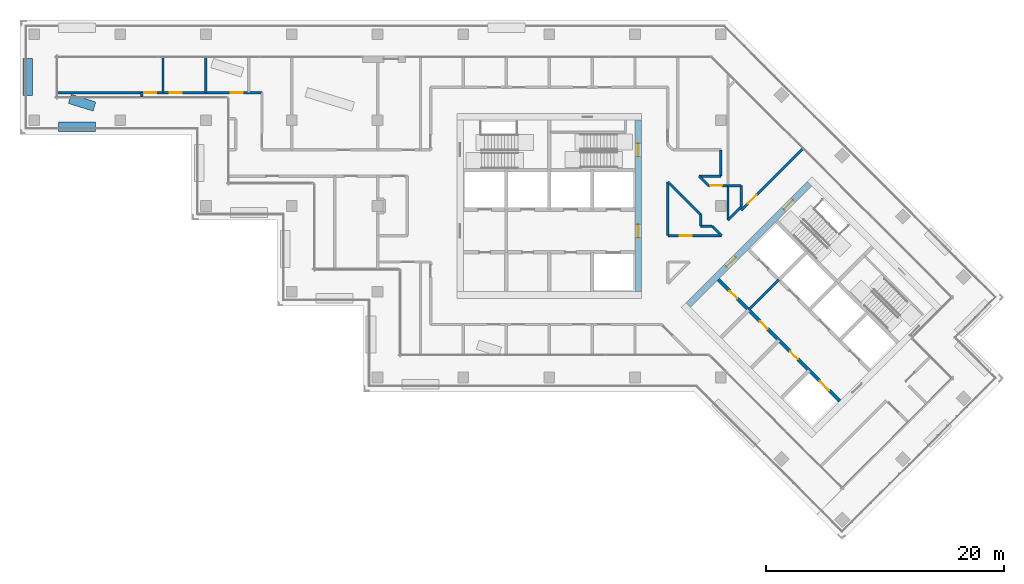
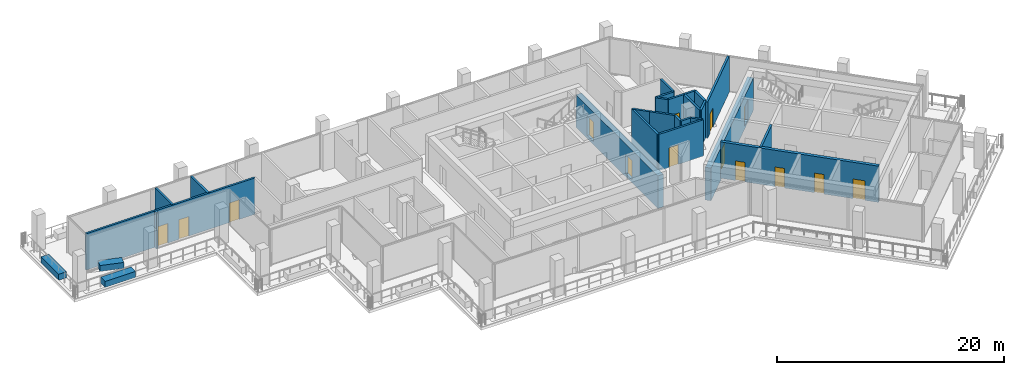
# One storey, part 10 of 19: 28 walls, 14 doors, 14 openings.
"""IFC4 building model written with IfcOpenShell, lengths in metres."""

from ifc_helpers import new_model, si_unit, direction, frame, frame_2d, origin, place, context, subcontext, project, spatial, rectangle, extrude, material, layer, layer_set, type_object, element, fill, save


model = new_model("IFC4")

# Units and contexts
model_context = context("Model", 3, precision=1e-05, world=origin(), true_north=direction((0.0, 1.0)))
body_context = subcontext(model_context, "Body", "Model", "MODEL_VIEW")
ifc_project = project(units=[si_unit("LENGTHUNIT", "METRE"), si_unit("AREAUNIT", "SQUARE_METRE"), si_unit("VOLUMEUNIT", "CUBIC_METRE"), si_unit("PLANEANGLEUNIT", "RADIAN"), si_unit("MASSUNIT", "GRAM", prefix="KILO")], contexts=[model_context])

# Site, building, storey
site_placement = place(None, origin())
site = spatial("IfcSite", under=ifc_project, at=site_placement, CompositionType="ELEMENT")
building_placement = place(site_placement, origin())
building = spatial("IfcBuilding", under=site, at=building_placement, Name="Windrow Commons", CompositionType="ELEMENT")
storey_placement = place(building_placement, frame((0.0, 0.0, 185.4)))
storey = spatial("IfcBuildingStorey", under=building, at=storey_placement, Name="L50", CompositionType="ELEMENT", Elevation=185.4)

# Wall
ifc_material_1 = material(Name="Blockwork partition", Category="masonry")
ifc_layer_1 = layer(ifc_material_1, 0.2)
ifc_layer_set_1 = layer_set([ifc_layer_1], Name="Fire lobby partition 200")
wall_type_1 = type_object("IfcWallType", Name="Fire lobby partition 200", PredefinedType="PARTITIONING", material=ifc_layer_set_1)
wall_1_placement = place(storey_placement, frame((81.5335, 48.8776, 0.0), z_axis=(0.0, 0.0, 1.0), x_axis=(0.707092892, 0.7071206701, 0.0)))
element("IfcWall", 1, at=wall_1_placement, inside=storey, type_object=wall_type_1, Name="W-core-lobby-B-L50", PredefinedType="PARTITIONING", context=body_context, shape_type="SweptSolid", body=[
    extrude(rectangle(XDim=3.6, YDim=0.2, at=frame_2d((1.8, 0.0))), origin(), (0.0, 0.0, 1.0), 3.9),
])

# Wall, openings, doors
ifc_material_2 = material(Name="Blockwork partition", Category="masonry")
ifc_layer_2 = layer(ifc_material_2, 0.2)
ifc_layer_set_2 = layer_set([ifc_layer_2], Name="IW-CORRIDOR-200")
wall_type_2 = type_object("IfcWallType", Name="IW-CORRIDOR-200", PredefinedType="PARTITIONING", material=ifc_layer_set_2)
wall_2_placement = place(storey_placement, frame((30.6, 67.1, 0.0), z_axis=(0.0, 0.0, 1.0), x_axis=(1.0, 0.0, 0.0)))
wall_2 = element("IfcWall", 2, at=wall_2_placement, inside=storey, type_object=wall_type_2, Name="W-L50-W004", PredefinedType="PARTITIONING", context=body_context, shape_type="SweptSolid", body=[
    extrude(rectangle(XDim=10.1, YDim=0.2, at=frame_2d((5.05, 0.0))), origin(), (0.0, 0.0, 1.0), 3.9),
])
opening_1_placement = place(wall_2_placement, frame((0.24, 0.0, 0.0)))
opening_1 = element("IfcOpeningElement", 3, at=opening_1_placement, cuts=wall_2, Name="Opening D310F", PredefinedType="OPENING", context=body_context, shape_type="SweptSolid", body=[
    extrude(rectangle(XDim=1.0, YDim=2.1, at=frame_2d((0.5, 1.05))), frame((0.0, 0.11, 0.0), z_axis=(0.0, -1.0, 0.0), x_axis=(1.0, 0.0, 0.0)), (0.0, 0.0, 1.0), 0.22),
])
opening_2_placement = place(wall_2_placement, frame((2.3675, 0.0, 0.0)))
opening_2 = element("IfcOpeningElement", 4, at=opening_2_placement, cuts=wall_2, Name="Opening D310F", PredefinedType="OPENING", context=body_context, shape_type="SweptSolid", body=[
    extrude(rectangle(XDim=1.0, YDim=2.1, at=frame_2d((0.5, 1.05))), frame((0.0, 0.11, 0.0), z_axis=(0.0, -1.0, 0.0), x_axis=(1.0, 0.0, 0.0)), (0.0, 0.0, 1.0), 0.22),
])
opening_3_placement = place(wall_2_placement, frame((7.4925, 0.0, 0.0)))
opening_3 = element("IfcOpeningElement", 5, at=opening_3_placement, cuts=wall_2, Name="Opening D310F", PredefinedType="OPENING", context=body_context, shape_type="SweptSolid", body=[
    extrude(rectangle(XDim=1.0, YDim=2.1, at=frame_2d((0.5, 1.05))), frame((0.0, 0.11, 0.0), z_axis=(0.0, -1.0, 0.0), x_axis=(1.0, 0.0, 0.0)), (0.0, 0.0, 1.0), 0.22),
])
ifc_material_3 = material(Name="Timber door leaf", Category="wood")
door_type_1 = type_object("IfcDoorType", Name="DT-AMENITY-1000", OperationType="SINGLE_SWING_LEFT", PredefinedType="DOOR", material=ifc_material_3)
door_1_placement = place(opening_1_placement, origin())
door_1 = element("IfcDoor", 6, at=door_1_placement, inside=storey, type_object=door_type_1, Name="D-L50-D011", OperationType="SINGLE_SWING_LEFT", OverallHeight=2.1, OverallWidth=1.0, PredefinedType="DOOR", context=body_context, shape_type="SweptSolid", body=[
    extrude(rectangle(XDim=1.0, YDim=2.1, at=frame_2d((0.5, 1.05))), frame((0.0, 0.025, 0.0), z_axis=(0.0, -1.0, 0.0), x_axis=(1.0, 0.0, 0.0)), (0.0, 0.0, 1.0), 0.05),
])
fill(opening_1, door_1)
door_2_placement = place(opening_2_placement, origin())
door_2 = element("IfcDoor", 7, at=door_2_placement, inside=storey, type_object=door_type_1, Name="D-L50-D012", OperationType="SINGLE_SWING_LEFT", OverallHeight=2.1, OverallWidth=1.0, PredefinedType="DOOR", context=body_context, shape_type="SweptSolid", body=[
    extrude(rectangle(XDim=1.0, YDim=2.1, at=frame_2d((0.5, 1.05))), frame((0.0, 0.025, 0.0), z_axis=(0.0, -1.0, 0.0), x_axis=(1.0, 0.0, 0.0)), (0.0, 0.0, 1.0), 0.05),
])
fill(opening_2, door_2)
door_3_placement = place(opening_3_placement, origin())
door_3 = element("IfcDoor", 8, at=door_3_placement, inside=storey, type_object=door_type_1, Name="D-L50-D013", OperationType="SINGLE_SWING_RIGHT", OverallHeight=2.1, OverallWidth=1.0, PredefinedType="DOOR", context=body_context, shape_type="SweptSolid", body=[
    extrude(rectangle(XDim=1.0, YDim=2.1, at=frame_2d((0.5, 1.05))), frame((0.0, 0.025, 0.0), z_axis=(0.0, -1.0, 0.0), x_axis=(1.0, 0.0, 0.0)), (0.0, 0.0, 1.0), 0.05),
])
fill(opening_3, door_3)

# Wall, opening, door
wall_3_placement = place(storey_placement, frame((80.9018, 57.2262, 0.0), z_axis=(0.0, 0.0, 1.0), x_axis=(0.7069700233, 0.7072435126, 0.0)))
wall_3 = element("IfcWall", 9, at=wall_3_placement, inside=storey, type_object=wall_type_2, Name="W-L50-W011", PredefinedType="PARTITIONING", context=body_context, shape_type="SweptSolid", body=[
    extrude(rectangle(XDim=7.3129, YDim=0.2, at=frame_2d((3.6564, 0.0))), origin(), (0.0, 0.0, 1.0), 3.9),
])
opening_4_placement = place(wall_3_placement, frame((0.8047, 0.0, 0.0)))
opening_4 = element("IfcOpeningElement", 10, at=opening_4_placement, cuts=wall_3, Name="Opening D310F", PredefinedType="OPENING", context=body_context, shape_type="SweptSolid", body=[
    extrude(rectangle(XDim=1.0, YDim=2.1, at=frame_2d((0.5, 1.05))), frame((0.0, 0.11, 0.0), z_axis=(0.0, -1.0, 0.0), x_axis=(1.0, 0.0, 0.0)), (0.0, 0.0, 1.0), 0.22),
])
door_4_placement = place(opening_4_placement, origin())
door_4 = element("IfcDoor", 11, at=door_4_placement, inside=storey, type_object=door_type_1, Name="D-L50-D024", OperationType="SINGLE_SWING_RIGHT", OverallHeight=2.1, OverallWidth=1.0, PredefinedType="DOOR", context=body_context, shape_type="SweptSolid", body=[
    extrude(rectangle(XDim=1.0, YDim=2.1, at=frame_2d((0.5, 1.05))), frame((0.0, 0.025, 0.0), z_axis=(0.0, -1.0, 0.0), x_axis=(1.0, 0.0, 0.0)), (0.0, 0.0, 1.0), 0.05),
])
fill(opening_4, door_4)

wall_4_placement = place(storey_placement, frame((74.752, 55.1, 0.0), z_axis=(0.0, 0.0, 1.0), x_axis=(1.0, 0.0, 0.0)))
wall_4 = element("IfcWall", 12, at=wall_4_placement, inside=storey, type_object=wall_type_2, Name="W-L50-W020", PredefinedType="PARTITIONING", context=body_context, shape_type="SweptSolid", body=[
    extrude(rectangle(XDim=4.516, YDim=0.2, at=frame_2d((2.258, 0.0))), origin(), (0.0, 0.0, 1.0), 3.9),
])
opening_5_placement = place(wall_4_placement, frame((1.0162, 0.0, 0.0)))
opening_5 = element("IfcOpeningElement", 13, at=opening_5_placement, cuts=wall_4, Name="Opening D310F", PredefinedType="OPENING", context=body_context, shape_type="SweptSolid", body=[
    extrude(rectangle(XDim=1.0, YDim=2.1, at=frame_2d((0.5, 1.05))), frame((0.0, 0.11, 0.0), z_axis=(0.0, -1.0, 0.0), x_axis=(1.0, 0.0, 0.0)), (0.0, 0.0, 1.0), 0.22),
])
door_5_placement = place(opening_5_placement, origin())
door_5 = element("IfcDoor", 14, at=door_5_placement, inside=storey, type_object=door_type_1, Name="D-L50-D010", OperationType="SINGLE_SWING_LEFT", OverallHeight=2.1, OverallWidth=1.0, PredefinedType="DOOR", context=body_context, shape_type="SweptSolid", body=[
    extrude(rectangle(XDim=1.0, YDim=2.1, at=frame_2d((0.5, 1.05))), frame((0.0, 0.025, 0.0), z_axis=(0.0, -1.0, 0.0), x_axis=(1.0, 0.0, 0.0)), (0.0, 0.0, 1.0), 0.05),
])
fill(opening_5, door_5)

# Walls
wall_5_placement = place(storey_placement, frame((74.75, 55.102, 0.0), z_axis=(0.0, 0.0, 1.0), x_axis=(0.0, 1.0, 0.0)))
element("IfcWall", 15, at=wall_5_placement, inside=storey, type_object=wall_type_2, Name="W-L50-W021", PredefinedType="PARTITIONING", context=body_context, shape_type="SweptSolid", body=[
    extrude(rectangle(XDim=4.516, YDim=0.2, at=frame_2d((2.258, 0.0))), origin(), (0.0, 0.0, 1.0), 3.9),
])
wall_6_placement = place(storey_placement, frame((79.8, 56.41, 0.0), z_axis=(0.0, 0.0, 1.0), x_axis=(0.0, 1.0, 0.0)))
element("IfcWall", 16, at=wall_6_placement, inside=storey, type_object=wall_type_2, Name="W-L50-W029", PredefinedType="PARTITIONING", context=body_context, shape_type="SweptSolid", body=[
    extrude(rectangle(XDim=2.89, YDim=0.2, at=frame_2d((1.445, 0.0))), origin(), (0.0, 0.0, 1.0), 3.9),
])
wall_7_placement = place(storey_placement, frame((75.8786, 58.4966, 0.0), z_axis=(0.0, 0.0, 1.0), x_axis=(0.7075423257, -0.7066709682, 0.0)))
element("IfcWall", 17, at=wall_7_placement, inside=storey, type_object=wall_type_2, Name="W-L50-W044", PredefinedType="PARTITIONING", context=body_context, shape_type="SweptSolid", body=[
    extrude(rectangle(XDim=2.2953, YDim=0.2, at=frame_2d((1.1477, 0.0))), origin(), (0.0, 0.0, 1.0), 3.9),
])
wall_8_placement = place(storey_placement, frame((79.2, 60.102, 0.0), z_axis=(0.0, 0.0, 1.0), x_axis=(0.0, 1.0, 0.0)))
element("IfcWall", 18, at=wall_8_placement, inside=storey, type_object=wall_type_2, Name="W-L50-W046", PredefinedType="PARTITIONING", context=body_context, shape_type="SweptSolid", body=[
    extrude(rectangle(XDim=2.198, YDim=0.2, at=frame_2d((1.099, 0.0))), origin(), (0.0, 0.0, 1.0), 3.9),
])
wall_9_placement = place(storey_placement, frame((77.384, 60.1, 0.0), z_axis=(0.0, 0.0, 1.0), x_axis=(1.0, 0.0, 0.0)))
element("IfcWall", 19, at=wall_9_placement, inside=storey, type_object=wall_type_2, Name="W-L50-W053", PredefinedType="PARTITIONING", context=body_context, shape_type="SweptSolid", body=[
    extrude(rectangle(XDim=1.814, YDim=0.2, at=frame_2d((0.907, 0.0))), origin(), (0.0, 0.0, 1.0), 3.9),
])

# Wall, opening, door
wall_10_placement = place(storey_placement, frame((78.182, 59.3, 0.0), z_axis=(0.0, 0.0, 1.0), x_axis=(1.0, 0.0, 0.0)))
wall_10 = element("IfcWall", 20, at=wall_10_placement, inside=storey, type_object=wall_type_2, Name="W-L50-W056", PredefinedType="PARTITIONING", context=body_context, shape_type="SweptSolid", body=[
    extrude(rectangle(XDim=1.618, YDim=0.2, at=frame_2d((0.809, 0.0))), origin(), (0.0, 0.0, 1.0), 3.9),
])
opening_6_placement = place(wall_10_placement, frame((0.1203, 0.0, 0.0)))
opening_6 = element("IfcOpeningElement", 21, at=opening_6_placement, cuts=wall_10, Name="Opening D310F", PredefinedType="OPENING", context=body_context, shape_type="SweptSolid", body=[
    extrude(rectangle(XDim=1.0, YDim=2.1, at=frame_2d((0.5, 1.05))), frame((0.0, 0.11, 0.0), z_axis=(0.0, -1.0, 0.0), x_axis=(1.0, 0.0, 0.0)), (0.0, 0.0, 1.0), 0.22),
])
door_6_placement = place(opening_6_placement, origin())
door_6 = element("IfcDoor", 22, at=door_6_placement, inside=storey, type_object=door_type_1, Name="D-L50-D023", OperationType="SINGLE_SWING_LEFT", OverallHeight=2.1, OverallWidth=1.0, PredefinedType="DOOR", context=body_context, shape_type="SweptSolid", body=[
    extrude(rectangle(XDim=1.0, YDim=2.1, at=frame_2d((0.5, 1.05))), frame((0.0, 0.025, 0.0), z_axis=(0.0, -1.0, 0.0), x_axis=(1.0, 0.0, 0.0)), (0.0, 0.0, 1.0), 0.05),
])
fill(opening_6, door_6)

# Walls
wall_11_placement = place(storey_placement, frame((74.7486, 59.6166, 0.0), z_axis=(0.0, 0.0, 1.0), x_axis=(0.7064779627, -0.7077350409, 0.0)))
element("IfcWall", 23, at=wall_11_placement, inside=storey, type_object=wall_type_2, Name="W-L50-W057", PredefinedType="PARTITIONING", context=body_context, shape_type="SweptSolid", body=[
    extrude(rectangle(XDim=1.591, YDim=0.2, at=frame_2d((0.7955, 0.0))), origin(), (0.0, 0.0, 1.0), 3.9),
])
wall_12_placement = place(storey_placement, frame((79.8022, 56.4078, 0.0), z_axis=(0.0, 0.0, 1.0), x_axis=(0.7064630795, 0.7077498975, 0.0)))
element("IfcWall", 24, at=wall_12_placement, inside=storey, type_object=wall_type_2, Name="W-L50-W058", PredefinedType="PARTITIONING", context=body_context, shape_type="SweptSolid", body=[
    extrude(rectangle(XDim=1.5542, YDim=0.2, at=frame_2d((0.7771, 0.0))), origin(), (0.0, 0.0, 1.0), 3.9),
])
for number, where, z_axis, x_axis, name in (
    (25, (77.3809, 60.0949, 0.0), (0.0, 0.0, 1.0), (0.7071067812, -0.7071067812, 0.0), "W-L50-W059"),
    (26, (78.4753, 55.9033, 0.0), (0.0, 0.0, 1.0), (0.7071067812, -0.7071067812, 0.0), "W-L50-W060"),
):
    element("IfcWall", number, at=place(storey_placement, frame(where, z_axis=z_axis, x_axis=x_axis)), inside=storey, type_object=wall_type_2, Name=name, PredefinedType="PARTITIONING", context=body_context, shape_type="SweptSolid", body=[
        extrude(rectangle(XDim=1.1285, YDim=0.2, at=frame_2d((0.5643, 0.0))), origin(), (0.0, 0.0, 1.0), 3.9),
    ])
wall_13_placement = place(storey_placement, frame((77.5, 55.9, 0.0), z_axis=(0.0, 0.0, 1.0), x_axis=(0.0, 1.0, 0.0)))
element("IfcWall", 27, at=wall_13_placement, inside=storey, type_object=wall_type_2, Name="W-L50-W063", PredefinedType="PARTITIONING", context=body_context, shape_type="SweptSolid", body=[
    extrude(rectangle(XDim=0.97, YDim=0.2, at=frame_2d((0.485, 0.0))), origin(), (0.0, 0.0, 1.0), 3.9),
])
wall_14_placement = place(storey_placement, frame((77.502, 55.9, 0.0), z_axis=(0.0, 0.0, 1.0), x_axis=(1.0, 0.0, 0.0)))
element("IfcWall", 28, at=wall_14_placement, inside=storey, type_object=wall_type_2, Name="W-L50-W064", PredefinedType="PARTITIONING", context=body_context, shape_type="SweptSolid", body=[
    extrude(rectangle(XDim=0.968, YDim=0.2, at=frame_2d((0.484, 0.0))), origin(), (0.0, 0.0, 1.0), 3.9),
])
wall_15_placement = place(storey_placement, frame((30.6, 66.73, 0.0), z_axis=(0.0, 0.0, 1.0), x_axis=(0.0, 1.0, 0.0)))
element("IfcWall", 29, at=wall_15_placement, inside=storey, type_object=wall_type_2, Name="W-L50-W073", PredefinedType="PARTITIONING", context=body_context, shape_type="SweptSolid", body=[
    extrude(rectangle(XDim=0.37, YDim=0.2, at=frame_2d((0.185, 0.0))), origin(), (0.0, 0.0, 1.0), 3.9),
])
ifc_material_4 = material(Name="Blockwork partition", Category="masonry")
ifc_layer_3 = layer(ifc_material_4, 0.2)
ifc_layer_set_3 = layer_set([ifc_layer_3], Name="IW-PARTY-200")
wall_type_3 = type_object("IfcWallType", Name="IW-PARTY-200", PredefinedType="PARTITIONING", material=ifc_layer_set_3)
wall_16_placement = place(storey_placement, frame((23.53, 67.1, 0.0), z_axis=(0.0, 0.0, 1.0), x_axis=(1.0, 0.0, 0.0)))
element("IfcWall", 30, at=wall_16_placement, inside=storey, type_object=wall_type_3, Name="W-L50-W012", PredefinedType="PARTITIONING", context=body_context, shape_type="SweptSolid", body=[
    extrude(rectangle(XDim=7.07, YDim=0.2, at=frame_2d((3.535, 0.0))), origin(), (0.0, 0.0, 1.0), 3.9),
])
for number, where, z_axis, x_axis, name in (
    (31, (32.4, 67.1, 0.0), (0.0, 0.0, 1.0), (0.0, 1.0, 0.0), "W-L50-W025"),
    (32, (36.0, 67.1, 0.0), (0.0, 0.0, 1.0), (0.0, 1.0, 0.0), "W-L50-W026"),
):
    element("IfcWall", number, at=place(storey_placement, frame(where, z_axis=z_axis, x_axis=x_axis)), inside=storey, type_object=wall_type_3, Name=name, PredefinedType="PARTITIONING", context=body_context, shape_type="SweptSolid", body=[
        extrude(rectangle(XDim=2.97, YDim=0.2, at=frame_2d((1.485, 0.0))), origin(), (0.0, 0.0, 1.0), 3.9),
    ])
wall_17_placement = place(storey_placement, frame((80.9, 57.508, 0.0), z_axis=(0.0, 0.0, 1.0), x_axis=(0.0, 1.0, 0.0)))
element("IfcWall", 33, at=wall_17_placement, inside=storey, type_object=wall_type_3, Name="W-L50-W054", PredefinedType="PARTITIONING", context=body_context, shape_type="SweptSolid", body=[
    extrude(rectangle(XDim=1.79, YDim=0.2, at=frame_2d((0.895, 0.0))), origin(), (0.0, 0.0, 1.0), 3.9),
])
wall_18_placement = place(storey_placement, frame((79.8, 59.3, 0.0), z_axis=(0.0, 0.0, 1.0), x_axis=(1.0, 0.0, 0.0)))
element("IfcWall", 34, at=wall_18_placement, inside=storey, type_object=wall_type_3, Name="W-L50-W062", PredefinedType="PARTITIONING", context=body_context, shape_type="SweptSolid", body=[
    extrude(rectangle(XDim=1.098, YDim=0.2, at=frame_2d((0.549, 0.0))), origin(), (0.0, 0.0, 1.0), 3.9),
])
ifc_material_5 = material(Name="Concrete C30/37 planter wall", Category="concrete")
ifc_layer_4 = layer(ifc_material_5, 0.8)
ifc_layer_set_4 = layer_set([ifc_layer_4], Name="Planter 800x600")
wall_type_4 = type_object("IfcWallType", Name="Planter 800x600", PredefinedType="SOLIDWALL", material=ifc_layer_set_4)
for number, where, z_axis, x_axis, name in (
    (35, (21.05, 69.95, 0.0), (0.0, 0.0, 1.0), (0.0, -1.0, 0.0), "PLANTER TR-L50-1.7"),
    (36, (23.65, 64.25, 0.0), (0.0, 0.0, 1.0), (1.0, 0.0, 0.0), "PLANTER TR-L50-1.8"),
):
    element("IfcWall", number, at=place(storey_placement, frame(where, z_axis=z_axis, x_axis=x_axis)), inside=storey, type_object=wall_type_4, Name=name, PredefinedType="SOLIDWALL", context=body_context, shape_type="SweptSolid", body=[
        extrude(rectangle(XDim=3.1, YDim=0.8, at=frame_2d((1.55, 0.0))), origin(), (0.0, 0.0, 1.0), 0.65),
    ])
wall_19_placement = place(storey_placement, frame((26.6439, 65.9416, 0.0), z_axis=(0.0, 0.0, 1.0), x_axis=(-0.9553618, 0.295438371, 0.0)))
element("IfcWall", 37, at=wall_19_placement, inside=storey, type_object=wall_type_4, Name="PLANTER TR-L50-1 bed 11", PredefinedType="SOLIDWALL", context=body_context, shape_type="SweptSolid", body=[
    extrude(rectangle(XDim=2.1609, YDim=0.8, at=frame_2d((1.0804, 0.0))), origin(), (0.0, 0.0, 1.0), 0.65),
])

# Wall, openings, doors
ifc_material_6 = material(Name="Concrete C50/60", Category="concrete")
ifc_layer_5 = layer(ifc_material_6, 0.55)
ifc_layer_set_5 = layer_set([ifc_layer_5], Name="RC CORE WALL 550 C50/60")
wall_type_5 = type_object("IfcWallType", Name="RC CORE WALL 550 C50/60", PredefinedType="SHEAR", material=ifc_layer_set_5)
wall_20_placement = place(storey_placement, frame((72.275, 50.4, -0.3), z_axis=(0.0, 0.0, 1.0), x_axis=(0.0, 1.0, 0.0)))
wall_20 = element("IfcWall", 38, at=wall_20_placement, inside=storey, type_object=wall_type_5, Name="Core A wall outer-E", PredefinedType="SHEAR", context=body_context, shape_type="SweptSolid", body=[
    extrude(rectangle(XDim=14.4, YDim=0.55, at=frame_2d((7.2, 0.0))), origin(), (0.0, 0.0, 1.0), 3.5),
])
opening_7_placement = place(wall_20_placement, frame((4.55, 0.0, 0.3)))
opening_7 = element("IfcOpeningElement", 39, at=opening_7_placement, cuts=wall_20, Name="Opening D6", PredefinedType="OPENING", context=body_context, shape_type="SweptSolid", body=[
    extrude(rectangle(XDim=1.1, YDim=2.1, at=frame_2d((0.55, 1.05))), frame((0.0, 0.285, 0.0), z_axis=(0.0, -1.0, 0.0), x_axis=(1.0, 0.0, 0.0)), (0.0, 0.0, 1.0), 0.57),
])
opening_8_placement = place(wall_20_placement, frame((11.35, 0.0, 0.3)))
opening_8 = element("IfcOpeningElement", 40, at=opening_8_placement, cuts=wall_20, Name="Opening D7", PredefinedType="OPENING", context=body_context, shape_type="SweptSolid", body=[
    extrude(rectangle(XDim=1.1, YDim=2.1, at=frame_2d((0.55, 1.05))), frame((0.0, 0.285, 0.0), z_axis=(0.0, -1.0, 0.0), x_axis=(1.0, 0.0, 0.0)), (0.0, 0.0, 1.0), 0.57),
])
ifc_material_7 = material(Name="Steel fire door leaf", Category="steel")
door_type_2 = type_object("IfcDoorType", Name="Core lobby door 1100", OperationType="SINGLE_SWING_LEFT", PredefinedType="DOOR", material=ifc_material_7)
door_7_placement = place(opening_7_placement, origin())
door_7 = element("IfcDoor", 41, at=door_7_placement, inside=storey, type_object=door_type_2, Name="Lift lobby door", OperationType="DOUBLE_DOOR_SINGLE_SWING", OverallHeight=2.1, OverallWidth=1.1, PredefinedType="DOOR", context=body_context, shape_type="SweptSolid", body=[
    extrude(rectangle(XDim=1.1, YDim=2.1, at=frame_2d((0.55, 1.05))), frame((0.0, 0.025, 0.0), z_axis=(0.0, -1.0, 0.0), x_axis=(1.0, 0.0, 0.0)), (0.0, 0.0, 1.0), 0.05),
])
fill(opening_7, door_7)
ifc_material_8 = material(Name="Steel fire door leaf", Category="steel")
door_type_3 = type_object("IfcDoorType", Name="Stair door 1100", OperationType="SINGLE_SWING_LEFT", PredefinedType="DOOR", material=ifc_material_8)
door_8_placement = place(opening_8_placement, origin())
door_8 = element("IfcDoor", 42, at=door_8_placement, inside=storey, type_object=door_type_3, Name="Stair door", OperationType="SINGLE_SWING_RIGHT", OverallHeight=2.1, OverallWidth=1.1, PredefinedType="DOOR", context=body_context, shape_type="SweptSolid", body=[
    extrude(rectangle(XDim=1.1, YDim=2.1, at=frame_2d((0.55, 1.05))), frame((0.0, 0.025, 0.0), z_axis=(0.0, -1.0, 0.0), x_axis=(1.0, 0.0, 0.0)), (0.0, 0.0, 1.0), 0.05),
])
fill(opening_8, door_8)

wall_21_placement = place(storey_placement, frame((76.46, 49.2842, -0.3), z_axis=(0.0, 0.0, 1.0), x_axis=(0.7071067812, 0.7071067812, 0.0)))
wall_21 = element("IfcWall", 43, at=wall_21_placement, inside=storey, type_object=wall_type_5, Name="Core B wall outer-W", PredefinedType="SHEAR", context=body_context, shape_type="SweptSolid", body=[
    extrude(rectangle(XDim=14.3999, YDim=0.55, at=frame_2d((7.2, 0.0))), origin(), (0.0, 0.0, 1.0), 3.5),
])
opening_9_placement = place(wall_21_placement, frame((4.55, 0.0, 0.3)))
opening_9 = element("IfcOpeningElement", 44, at=opening_9_placement, cuts=wall_21, Name="Opening D6", PredefinedType="OPENING", context=body_context, shape_type="SweptSolid", body=[
    extrude(rectangle(XDim=1.1, YDim=2.1, at=frame_2d((0.55, 1.05))), frame((0.0, 0.285, 0.0), z_axis=(0.0, -1.0, 0.0), x_axis=(1.0, 0.0, 0.0)), (0.0, 0.0, 1.0), 0.57),
])
opening_10_placement = place(wall_21_placement, frame((11.35, 0.0, 0.3)))
opening_10 = element("IfcOpeningElement", 45, at=opening_10_placement, cuts=wall_21, Name="Opening D7", PredefinedType="OPENING", context=body_context, shape_type="SweptSolid", body=[
    extrude(rectangle(XDim=1.1, YDim=2.1, at=frame_2d((0.55, 1.05))), frame((0.0, 0.285, 0.0), z_axis=(0.0, -1.0, 0.0), x_axis=(1.0, 0.0, 0.0)), (0.0, 0.0, 1.0), 0.57),
])
door_9_placement = place(opening_9_placement, origin())
door_9 = element("IfcDoor", 46, at=door_9_placement, inside=storey, type_object=door_type_2, Name="Lift lobby door", OperationType="DOUBLE_DOOR_SINGLE_SWING", OverallHeight=2.1, OverallWidth=1.1, PredefinedType="DOOR", context=body_context, shape_type="SweptSolid", body=[
    extrude(rectangle(XDim=1.1, YDim=2.1, at=frame_2d((0.55, 1.05))), frame((0.0, 0.025, 0.0), z_axis=(0.0, -1.0, 0.0), x_axis=(1.0, 0.0, 0.0)), (0.0, 0.0, 1.0), 0.05),
])
fill(opening_9, door_9)
door_10_placement = place(opening_10_placement, origin())
door_10 = element("IfcDoor", 47, at=door_10_placement, inside=storey, type_object=door_type_3, Name="Stair door", OperationType="SINGLE_SWING_LEFT", OverallHeight=2.1, OverallWidth=1.1, PredefinedType="DOOR", context=body_context, shape_type="SweptSolid", body=[
    extrude(rectangle(XDim=1.1, YDim=2.1, at=frame_2d((0.55, 1.05))), frame((0.0, 0.025, 0.0), z_axis=(0.0, -1.0, 0.0), x_axis=(1.0, 0.0, 0.0)), (0.0, 0.0, 1.0), 0.05),
])
fill(opening_10, door_10)

ifc_material_9 = material(Name="Concrete C50/60", Category="concrete")
ifc_layer_6 = layer(ifc_material_9, 0.3)
ifc_layer_set_6 = layer_set([ifc_layer_6], Name="RC SHAFT WALL 300 C50/60")
wall_type_6 = type_object("IfcWallType", Name="RC SHAFT WALL 300 C50/60", PredefinedType="SOLIDWALL", material=ifc_layer_set_6)
wall_22_placement = place(storey_placement, frame((78.9879, 51.4232, 0.0), z_axis=(0.0, 0.0, 1.0), x_axis=(0.7071067812, -0.7071067812, 0.0)))
wall_22 = element("IfcWall", 48, at=wall_22_placement, inside=storey, type_object=wall_type_6, Name="Core B wall lobby-S", PredefinedType="SOLIDWALL", context=body_context, shape_type="SweptSolid", body=[
    extrude(rectangle(XDim=14.3999, YDim=0.3, at=frame_2d((7.2, 0.0))), origin(), (0.0, 0.0, 1.0), 3.9),
])
opening_11_placement = place(wall_22_placement, frame((1.35, 0.0, 0.0)))
opening_11 = element("IfcOpeningElement", 49, at=opening_11_placement, cuts=wall_22, Name="Opening D8", PredefinedType="OPENING", context=body_context, shape_type="SweptSolid", body=[
    extrude(rectangle(XDim=0.9, YDim=2.1, at=frame_2d((0.45, 1.05))), frame((0.0, 0.16, 0.0), z_axis=(0.0, -1.0, 0.0), x_axis=(1.0, 0.0, 0.0)), (0.0, 0.0, 1.0), 0.32),
])
opening_12_placement = place(wall_22_placement, frame((4.95, 0.0, 0.0)))
opening_12 = element("IfcOpeningElement", 50, at=opening_12_placement, cuts=wall_22, Name="Opening D8", PredefinedType="OPENING", context=body_context, shape_type="SweptSolid", body=[
    extrude(rectangle(XDim=0.9, YDim=2.1, at=frame_2d((0.45, 1.05))), frame((0.0, 0.16, 0.0), z_axis=(0.0, -1.0, 0.0), x_axis=(1.0, 0.0, 0.0)), (0.0, 0.0, 1.0), 0.32),
])
opening_13_placement = place(wall_22_placement, frame((8.55, 0.0, 0.0)))
opening_13 = element("IfcOpeningElement", 51, at=opening_13_placement, cuts=wall_22, Name="Opening D8", PredefinedType="OPENING", context=body_context, shape_type="SweptSolid", body=[
    extrude(rectangle(XDim=0.9, YDim=2.1, at=frame_2d((0.45, 1.05))), frame((0.0, 0.16, 0.0), z_axis=(0.0, -1.0, 0.0), x_axis=(1.0, 0.0, 0.0)), (0.0, 0.0, 1.0), 0.32),
])
opening_14_placement = place(wall_22_placement, frame((12.05, 0.0, 0.0)))
opening_14 = element("IfcOpeningElement", 52, at=opening_14_placement, cuts=wall_22, Name="Opening LD", PredefinedType="OPENING", context=body_context, shape_type="SweptSolid", body=[
    extrude(rectangle(XDim=1.1, YDim=2.1, at=frame_2d((0.55, 1.05))), frame((0.0, 0.16, 0.0), z_axis=(0.0, -1.0, 0.0), x_axis=(1.0, 0.0, 0.0)), (0.0, 0.0, 1.0), 0.32),
])
ifc_material_10 = material(Name="Steel fire door leaf", Category="steel")
door_type_4 = type_object("IfcDoorType", Name="Core store door 900", OperationType="SINGLE_SWING_LEFT", PredefinedType="DOOR", material=ifc_material_10)
door_11_placement = place(opening_11_placement, origin())
door_11 = element("IfcDoor", 53, at=door_11_placement, inside=storey, type_object=door_type_4, Name="Store door", OperationType="SINGLE_SWING_LEFT", OverallHeight=2.1, OverallWidth=0.9, PredefinedType="DOOR", context=body_context, shape_type="SweptSolid", body=[
    extrude(rectangle(XDim=0.9, YDim=2.1, at=frame_2d((0.45, 1.05))), frame((0.0, 0.025, 0.0), z_axis=(0.0, -1.0, 0.0), x_axis=(1.0, 0.0, 0.0)), (0.0, 0.0, 1.0), 0.05),
])
fill(opening_11, door_11)
door_12_placement = place(opening_12_placement, origin())
door_12 = element("IfcDoor", 54, at=door_12_placement, inside=storey, type_object=door_type_4, Name="Store door", OperationType="SINGLE_SWING_LEFT", OverallHeight=2.1, OverallWidth=0.9, PredefinedType="DOOR", context=body_context, shape_type="SweptSolid", body=[
    extrude(rectangle(XDim=0.9, YDim=2.1, at=frame_2d((0.45, 1.05))), frame((0.0, 0.025, 0.0), z_axis=(0.0, -1.0, 0.0), x_axis=(1.0, 0.0, 0.0)), (0.0, 0.0, 1.0), 0.05),
])
fill(opening_12, door_12)
door_13_placement = place(opening_13_placement, origin())
door_13 = element("IfcDoor", 55, at=door_13_placement, inside=storey, type_object=door_type_4, Name="Store door", OperationType="SINGLE_SWING_LEFT", OverallHeight=2.1, OverallWidth=0.9, PredefinedType="DOOR", context=body_context, shape_type="SweptSolid", body=[
    extrude(rectangle(XDim=0.9, YDim=2.1, at=frame_2d((0.45, 1.05))), frame((0.0, 0.025, 0.0), z_axis=(0.0, -1.0, 0.0), x_axis=(1.0, 0.0, 0.0)), (0.0, 0.0, 1.0), 0.05),
])
fill(opening_13, door_13)
ifc_material_11 = material(Name="Stainless steel door leaf", Category="steel")
door_type_5 = type_object("IfcDoorType", Name="Lift landing door 1100", OperationType="SLIDING_TO_LEFT", PredefinedType="DOOR", material=ifc_material_11)
door_14_placement = place(opening_14_placement, origin())
door_14 = element("IfcDoor", 56, at=door_14_placement, inside=storey, type_object=door_type_5, Name="Lift landing door", OperationType="SLIDING_TO_RIGHT", OverallHeight=2.1, OverallWidth=1.1, PredefinedType="DOOR", context=body_context, shape_type="SweptSolid", body=[
    extrude(rectangle(XDim=1.1, YDim=2.1, at=frame_2d((0.55, 1.05))), frame((0.0, 0.025, 0.0), z_axis=(0.0, -1.0, 0.0), x_axis=(1.0, 0.0, 0.0)), (0.0, 0.0, 1.0), 0.05),
])
fill(opening_14, door_14)

save(model, "model.ifc")
